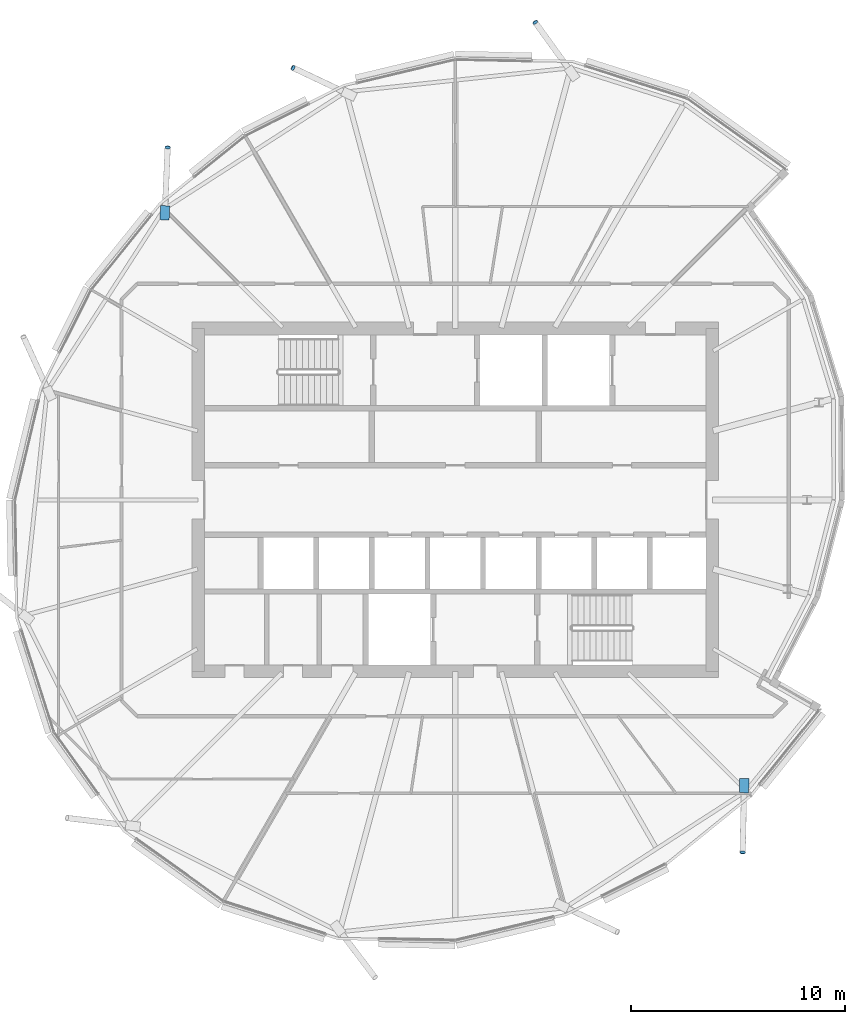
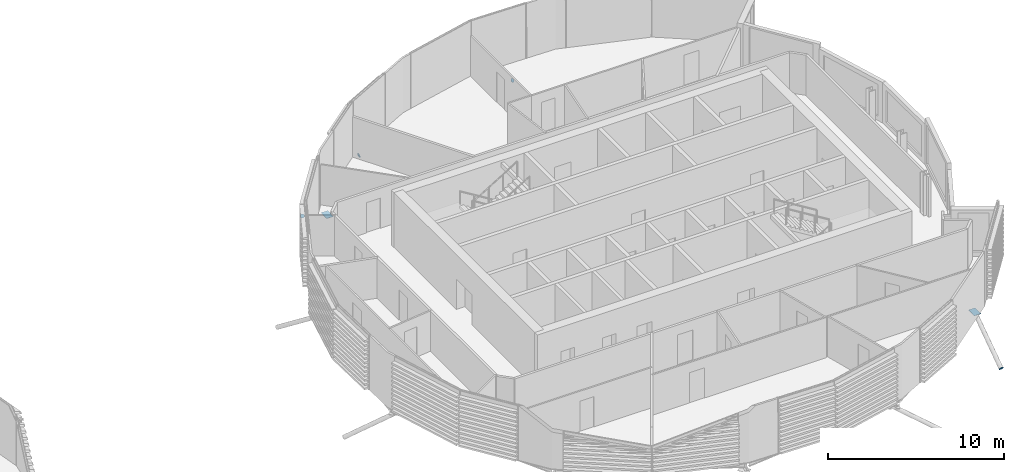
# One storey, part 30 of 36: 6 discrete accessories.
"""IFC4 building model written with IfcOpenShell, lengths in metres."""

import ifcopenshell
import ifcopenshell.guid

model = None  # the IFC model being written
_history = None  # IfcOwnerHistory: only IFC2X3 demands one
_inside = {}  # id of a spatial element -> (the spatial element, [elements in it])
_under = {}  # id of a project, library or spatial element -> (it, [spatial elements below it])
_declared = {}  # id of a project -> (the project, [libraries it declares])
_typed = {}  # id of a type object -> (the type object, [elements of that type])
_made_of = {}  # id of a material, layer set ... -> (it, [elements and type objects made of it])


def new_model(schema):
    """Start an empty IFC model of exactly this schema.

    Asked for "IFC4X3", IfcOpenShell would pick the latest addendum, in which some entities
    have other attributes; the version numbers below select the first issue.
    IFC2X3 requires an IfcOwnerHistory on every rooted entity: one is made here for all.
    """
    global model, _history
    if schema == "IFC4X3":
        model = ifcopenshell.file(schema_version=(4, 3, 0, 0))
    else:
        model = ifcopenshell.file(schema=schema)
    _inside.clear()
    _under.clear()
    _declared.clear()
    _typed.clear()
    _made_of.clear()
    _history = None
    if model.schema == "IFC2X3":
        org = make("IfcOrganization", Name="unknown")
        user = make(
            "IfcPersonAndOrganization",
            ThePerson=make("IfcPerson", FamilyName="unknown"),
            TheOrganization=org,
        )
        app = make(
            "IfcApplication",
            ApplicationDeveloper=org,
            Version="unknown",
            ApplicationFullName="unknown",
            ApplicationIdentifier="unknown",
        )
        _history = make(
            "IfcOwnerHistory",
            OwningUser=user,
            OwningApplication=app,
            ChangeAction="ADDED",
            CreationDate=0,
        )
    return model


def make(cls, **values):
    """One entity of the class cls with the attributes given. An attribute that is None is left unset."""
    return model.create_entity(
        cls, **{name: value for name, value in values.items() if value is not None}
    )


def rooted(cls, **values):
    """An entity with a GlobalId (a new one), such as an element, a storey or a relation."""
    return make(cls, GlobalId=ifcopenshell.guid.new(), OwnerHistory=_history, **values)


def si_unit(unit_type, name, prefix=None):
    """IfcSIUnit, for example si_unit("LENGTHUNIT", "METRE", prefix="MILLI")."""
    return make("IfcSIUnit", UnitType=unit_type, Prefix=prefix, Name=name)


def assignment(units):
    """IfcUnitAssignment: the units of a project."""
    return None if units is None else make("IfcUnitAssignment", Units=units)


def point(xyz):
    """IfcCartesianPoint."""
    return None if xyz is None else make("IfcCartesianPoint", Coordinates=xyz)


def direction(xyz):
    """IfcDirection."""
    return None if xyz is None else make("IfcDirection", DirectionRatios=xyz)


def frame(location, z_axis=None, x_axis=None):
    """IfcAxis2Placement3D, a coordinate frame: its origin and axes. An axis left out is left unset."""
    return make(
        "IfcAxis2Placement3D",
        Location=point(location),
        Axis=direction(z_axis),
        RefDirection=direction(x_axis),
    )


def frame_2d(location, x_axis=None):
    """IfcAxis2Placement2D, a coordinate frame in the plane: its origin and x axis."""
    return make(
        "IfcAxis2Placement2D", Location=point(location), RefDirection=direction(x_axis)
    )


def origin():
    """The frame at (0, 0, 0) with its axes left unset."""
    return frame((0.0, 0.0, 0.0))


def origin_2d():
    """The frame at (0, 0) in the plane with its x axis left unset."""
    return frame_2d((0.0, 0.0))


def place(relative_to, where):
    """IfcLocalPlacement: puts the frame where relative to a parent placement (None: the world)."""
    return make(
        "IfcLocalPlacement", PlacementRelTo=relative_to, RelativePlacement=where
    )


def context(
    kind, dimensions, precision=None, world=None, true_north=None, identifier=None
):
    """IfcGeometricRepresentationContext, for example the 3D "Model" context."""
    return make(
        "IfcGeometricRepresentationContext",
        ContextIdentifier=identifier,
        ContextType=kind,
        CoordinateSpaceDimension=dimensions,
        Precision=precision,
        WorldCoordinateSystem=world,
        TrueNorth=true_north,
    )


def subcontext(parent, identifier, kind, view, scale=None):
    """IfcGeometricRepresentationSubContext, for example "Body" below "Model"."""
    return make(
        "IfcGeometricRepresentationSubContext",
        ContextIdentifier=identifier,
        ContextType=kind,
        ParentContext=parent,
        TargetScale=scale,
        TargetView=view,
    )


def project(units=None, contexts=None):
    """IfcProject with its units and contexts."""
    return rooted(
        "IfcProject",
        Name="project",
        RepresentationContexts=contexts,
        UnitsInContext=assignment(units),
    )


def spatial(cls, under=None, at=None, **own):
    """A site, building, storey or space (cls), placed at a placement, below another one or the project."""
    s = rooted(cls, ObjectPlacement=at, **own)
    if under is not None:
        _under.setdefault(under.id(), (under, []))[1].append(s)
    return s


def polyline(points):
    """IfcPolyline through the points."""
    return make("IfcPolyline", Points=[point(p) for p in points])


def profile(cls, at=None, kind="AREA", **sizes):
    """A parametric profile (cls). Its sizes go by their IFC names, for example OverallWidth=200.0."""
    return make(cls, ProfileType=kind, Position=at, **sizes)


def rectangle(**sizes):
    """IfcRectangleProfileDef."""
    return profile("IfcRectangleProfileDef", **sizes)


def circle(**sizes):
    """IfcCircleProfileDef."""
    return profile("IfcCircleProfileDef", **sizes)


def outline(outer, holes=None, kind="AREA"):
    """IfcArbitraryClosedProfileDef: a profile drawn as a closed curve; with holes, ...WithVoids."""
    if holes is None:
        return make("IfcArbitraryClosedProfileDef", ProfileType=kind, OuterCurve=outer)
    return make(
        "IfcArbitraryProfileDefWithVoids",
        ProfileType=kind,
        OuterCurve=outer,
        InnerCurves=holes,
    )


def extrude(swept, where, along, depth):
    """IfcExtrudedAreaSolid: the profile swept, set in the frame where, extruded along a direction by depth."""
    return make(
        "IfcExtrudedAreaSolid",
        SweptArea=swept,
        Position=where,
        ExtrudedDirection=direction(along),
        Depth=depth,
    )


def shape(context_of_items, identifier, shape_type, items):
    """IfcShapeRepresentation: the items that make up one representation, for example the "Body"."""
    return make(
        "IfcShapeRepresentation",
        ContextOfItems=context_of_items,
        RepresentationIdentifier=identifier,
        RepresentationType=shape_type,
        Items=items,
    )


def material(Name=None, Category=None):
    """IfcMaterial."""
    return make("IfcMaterial", Name=Name, Category=Category)


def material_profile(
    of_material, cross_section, Name=None, Category=None, Priority=None
):
    """IfcMaterialProfile: a cross section and its material."""
    return make(
        "IfcMaterialProfile",
        Name=Name,
        Material=of_material,
        Profile=cross_section,
        Priority=Priority,
        Category=Category,
    )


def profile_set(profiles, Name=None, composite=None):
    """IfcMaterialProfileSet."""
    return make(
        "IfcMaterialProfileSet",
        Name=Name,
        MaterialProfiles=profiles,
        CompositeProfile=composite,
    )


def made_of(thing, what):
    """Note that an element or type object is made of a material, layer set ...; save() writes the relation."""
    if what is not None:
        _made_of.setdefault(what.id(), (what, []))[1].append(thing)
    return thing


def type_object(cls, material=None, **own):
    """A type object (cls), such as IfcWallType, which elements share."""
    return made_of(rooted(cls, **own), material)


def element(
    cls,
    number,
    at=None,
    inside=None,
    cuts=None,
    type_object=None,
    material=None,
    context=None,
    identifier="Body",
    shape_type=None,
    held_by="IfcProductDefinitionShape",
    body=None,
    shapes=None,
    **own,
):
    """One element of the class cls, such as IfcWall. Its Tag is "e" and its number.

    at: its placement. inside: the storey or other place that contains it. cuts: it is an
    opening in that element (IfcRelVoidsElement). A single representation is given by context,
    identifier, shape_type and body (its items); several are given by shapes. held_by: the class
    of the entity that holds the representations. save() writes the other relations.
    """
    e = rooted(cls, Tag="e%d" % number, ObjectPlacement=at, **own)
    if body is not None:
        shapes = [shape(context, identifier, shape_type, body)]
    if shapes is not None:
        e.Representation = make(held_by, Representations=shapes)
    if inside is not None:
        _inside.setdefault(inside.id(), (inside, []))[1].append(e)
    if cuts is not None:
        rooted(
            "IfcRelVoidsElement", RelatingBuildingElement=cuts, RelatedOpeningElement=e
        )
    if type_object is not None:
        _typed.setdefault(type_object.id(), (type_object, []))[1].append(e)
    return made_of(e, material)


def aggregate(whole, parts):
    """IfcRelAggregates: a whole, such as a stair, and the parts it consists of."""
    return rooted("IfcRelAggregates", RelatingObject=whole, RelatedObjects=parts)


def save(model, path):
    """Write the relations noted so far, then the file.

    IfcRelAggregates (storeys below a building ...), IfcRelContainedInSpatialStructure (elements
    in a storey), IfcRelDefinesByType, IfcRelAssociatesMaterial and IfcRelDeclares: one each for
    every whole, place, type object, material and project.
    """
    for whole, parts in _under.values():
        aggregate(whole, parts)
    for where, things in _inside.values():
        rooted(
            "IfcRelContainedInSpatialStructure",
            RelatedElements=things,
            RelatingStructure=where,
        )
    for kind, things in _typed.values():
        rooted("IfcRelDefinesByType", RelatedObjects=things, RelatingType=kind)
    for what, things in _made_of.values():
        rooted("IfcRelAssociatesMaterial", RelatedObjects=things, RelatingMaterial=what)
    for by, libraries in _declared.values():
        rooted("IfcRelDeclares", RelatingContext=by, RelatedDefinitions=libraries)
    model.write(path)


model = new_model("IFC4")

# Units and contexts
model_context = context("Model", 3, precision=1e-05, world=origin(), true_north=direction((0.0, 1.0)))
body_context = subcontext(model_context, "Body", "Model", "MODEL_VIEW")
ifc_project = project(units=[si_unit("LENGTHUNIT", "METRE"), si_unit("AREAUNIT", "SQUARE_METRE"), si_unit("VOLUMEUNIT", "CUBIC_METRE"), si_unit("PLANEANGLEUNIT", "RADIAN"), si_unit("MASSUNIT", "GRAM", prefix="KILO")], contexts=[model_context])

# Site, building, storey
site_placement = place(None, origin())
site = spatial("IfcSite", under=ifc_project, at=site_placement, CompositionType="ELEMENT")
building_placement = place(site_placement, origin())
building = spatial("IfcBuilding", under=site, at=building_placement, Name="Rimbun Link Towers", CompositionType="ELEMENT")
storey_placement = place(building_placement, frame((0.0, 0.0, 189.300048828125)))
storey = spatial("IfcBuildingStorey", under=building, at=storey_placement, Name="L46", CompositionType="ELEMENT", Elevation=189.300048828125)

# Discrete accessories
ifc_material_1 = material(Name="Steel S355J2H", Category="steel")
ifc_material_profile_1 = material_profile(ifc_material_1, circle(Radius=0.1240234375, at=origin_2d()), Name="PL D248")
ifc_profile_set_1 = profile_set([ifc_material_profile_1], Name="Steel S355J2H")
discrete_accessory_type_1 = type_object("IfcDiscreteAccessoryType", Name="Link foot sealing plate D248X20", PredefinedType="BRACKET", material=ifc_profile_set_1)
discrete_accessory_1_placement = place(storey_placement, frame((35.487060546875, 22.293701171875, -2.6953125), z_axis=(-0.494802581952, 0.68789627247, -0.531007648924), x_axis=(-0.811804390952, -0.583929474193, 0.0)))
element("IfcDiscreteAccessory", 1, at=discrete_accessory_1_placement, inside=storey, type_object=discrete_accessory_type_1, Name="Link foot sealing plate T2 L46 02", PredefinedType="BRACKET", context=body_context, shape_type="SweptSolid", body=[
    extrude(circle(Radius=0.1240234375, at=origin_2d()), origin(), (0.0, 0.0, 1.0), 0.020263671875),
])
for number, where, z_axis, x_axis, name in (
    (2, (24.190185546875, 20.169921875, -2.64404296875), (-0.75688592537, 0.354027287673, -0.549352687769), (-0.423685108901, -0.905809543169, 0.0), "Link foot sealing plate T2 L46 04"),
    (3, (18.32568359375, 16.45166015625, -2.549560546875), (0.036393726262, 0.837055704034, -0.545905893935), (-0.999056158355, 0.043437224276, 0.0), "Link foot sealing plate T2 L46 06"),
    (4, (45.16796875, -16.44970703125, -2.55224609375), (-0.024432065651, -0.842906264953, -0.537505444318), (0.9995801847, -0.028973338687, 0.0), "Link foot sealing plate T2 L46 18"),
):
    element("IfcDiscreteAccessory", number, at=place(storey_placement, frame(where, z_axis=z_axis, x_axis=x_axis)), inside=storey, type_object=discrete_accessory_type_1, Name=name, PredefinedType="BRACKET", context=body_context, shape_type="SweptSolid", body=[
        extrude(circle(Radius=0.1240234375, at=origin_2d()), origin(), (0.0, 0.0, 1.0), 0.02001953125),
    ])
ifc_material_2 = material(Name="Steel S355J2H", Category="steel")
ifc_material_profile_2 = material_profile(ifc_material_2, rectangle(XDim=0.43310546875, YDim=0.43310546875, at=origin_2d()), Name="PL 433x433")
ifc_profile_set_2 = profile_set([ifc_material_profile_2], Name="Steel S355J2H")
discrete_accessory_type_2 = type_object("IfcDiscreteAccessoryType", Name="Link head end plate 433X20", PredefinedType="BRACKET", material=ifc_profile_set_2)
discrete_accessory_2_placement = place(storey_placement, frame((0.0, 0.0, -0.576416015625)))
element("IfcDiscreteAccessory", 5, at=discrete_accessory_2_placement, inside=storey, type_object=discrete_accessory_type_2, Name="Link head end plate T2 L46 06", PredefinedType="BRACKET", context=body_context, shape_type="SweptSolid", body=[
    extrude(outline(polyline([(18.39453125, 13.064208984375), (18.423583984375, 13.72607421875), (17.990966796875, 13.7451171875), (17.9619140625, 13.0830078125), (18.39453125, 13.064208984375)])), origin(), (0.0, 0.0, 1.0), 0.02001953125),
])
discrete_accessory_3_placement = place(storey_placement, frame((0.0, 0.0, -0.576416015625)))
element("IfcDiscreteAccessory", 6, at=discrete_accessory_3_placement, inside=storey, type_object=discrete_accessory_type_2, Name="Link head end plate T2 L46 18", PredefinedType="BRACKET", context=body_context, shape_type="SweptSolid", body=[
    extrude(outline(polyline([(45.03173828125, -12.996826171875), (45.01611328125, -13.666259765625), (45.44921875, -13.67626953125), (45.464599609375, -13.007080078125), (45.03173828125, -12.996826171875)])), origin(), (0.0, 0.0, 1.0), 0.02001953125),
])

save(model, "model.ifc")
